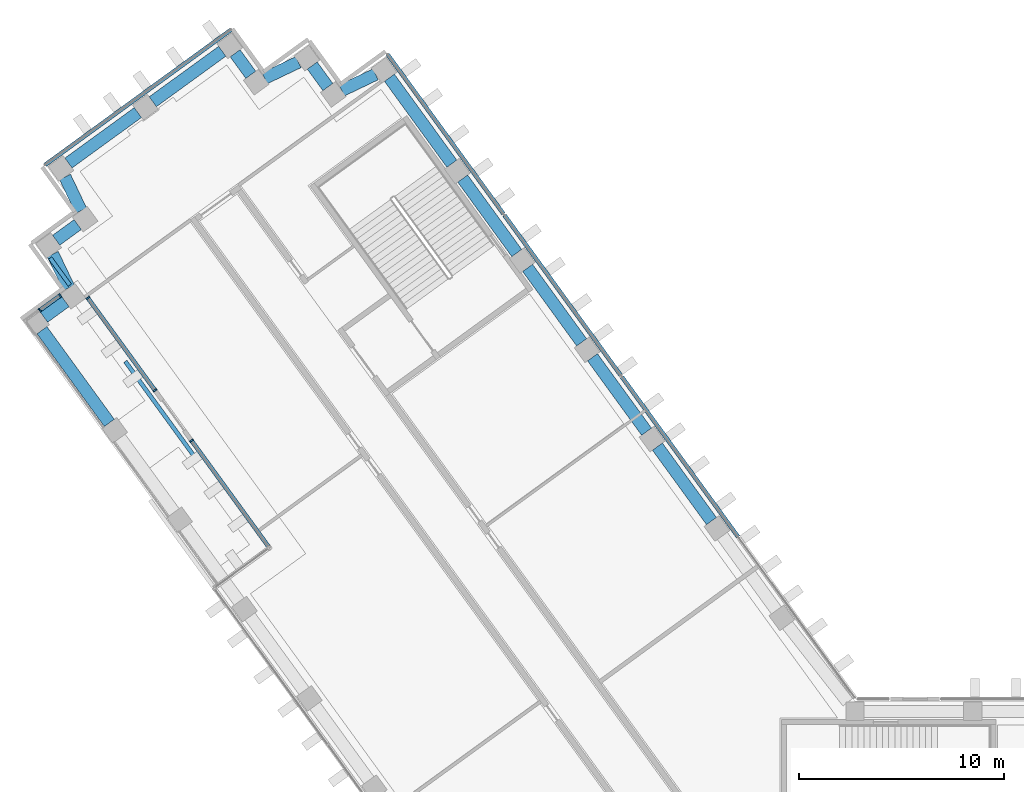
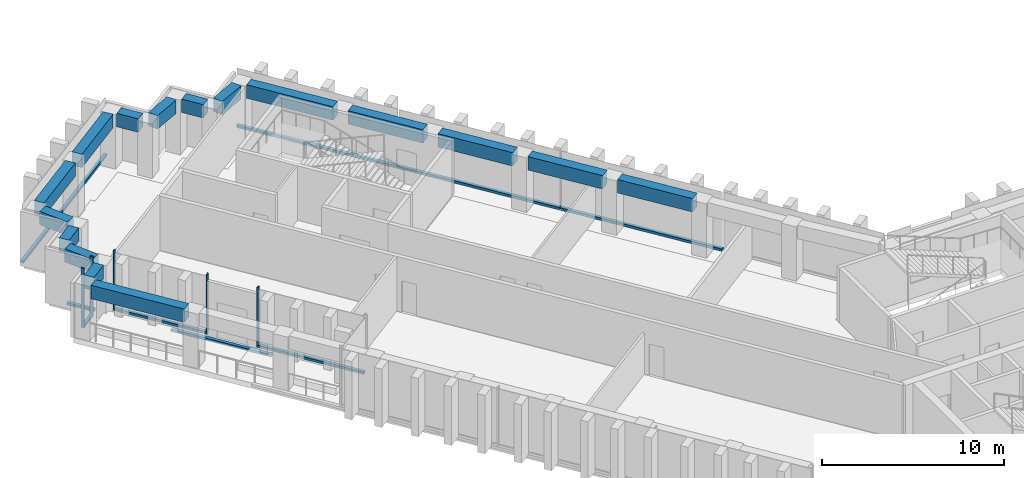
"""IFC4 building model written with IfcOpenShell, lengths in metres."""

from ifc_helpers import new_model, si_unit, direction, frame, origin, origin_2d, place, context, subcontext, project, spatial, rectangle, extrude, material, material_profile, profile_set, type_object, element, aggregate, save


model = new_model("IFC4")

# Units and contexts
model_context = context("Model", 3, precision=1e-05, world=origin(), true_north=direction((0.0, 1.0)))
body_context = subcontext(model_context, "Body", "Model", "MODEL_VIEW")
ifc_project = project(units=[si_unit("LENGTHUNIT", "METRE"), si_unit("AREAUNIT", "SQUARE_METRE"), si_unit("VOLUMEUNIT", "CUBIC_METRE"), si_unit("PLANEANGLEUNIT", "RADIAN"), si_unit("MASSUNIT", "GRAM", prefix="KILO")], contexts=[model_context])

# Site, building, storey
site_placement = place(None, origin())
site = spatial("IfcSite", under=ifc_project, at=site_placement, CompositionType="ELEMENT")
building_placement = place(site_placement, origin())
building = spatial("IfcBuilding", under=site, at=building_placement, Name="Quipu Civic Tower", CompositionType="ELEMENT")
storey_1_placement = place(building_placement, frame((0.0, 0.0, 39.0)))
storey_1 = spatial("IfcBuildingStorey", under=building, at=storey_1_placement, Name="L08", CompositionType="ELEMENT", Elevation=39.0)

# Curtain wall, members
ifc_material_1 = material(Name="Insulated glass unit", Category="glass")
curtain_wall_type = type_object("IfcCurtainWallType", Name="Office curtain wall CW1", PredefinedType="NOTDEFINED", material=ifc_material_1)
curtain_wall_1_placement = place(storey_1_placement, origin())
curtain_wall_1 = element("IfcCurtainWall", 1, at=curtain_wall_1_placement, inside=storey_1, type_object=curtain_wall_type, Name="Office curtain wall CW1 L08 run 1", PredefinedType="NOTDEFINED")
ifc_material_2 = material(Name="Anodised aluminium", Category="aluminium")
ifc_material_profile_1 = material_profile(ifc_material_2, rectangle(XDim=0.199951171875, YDim=0.080078125, at=origin_2d()), Name="RECT 200x80")
ifc_profile_set_1 = profile_set([ifc_material_profile_1], Name="Anodised aluminium")
member_type_1 = type_object("IfcMemberType", Name="Mullion CW1", PredefinedType="MULLION", material=ifc_profile_set_1)
member_1_placement = place(storey_1_placement, frame((-54.25439453125, 30.11767578125, 0.080078125), z_axis=(0.0, 0.0, 1.0), x_axis=(-0.587782847313, 0.809018741689, 0.0)))
member_1 = element("IfcMember", 2, at=member_1_placement, type_object=member_type_1, Name="CW1 mullion 1", PredefinedType="MULLION", context=body_context, shape_type="SweptSolid", body=[
    extrude(rectangle(XDim=0.199951171875, YDim=0.080078125, at=origin_2d()), origin(), (0.0, 0.0, 1.0), 4.0),
])
member_2_placement = place(storey_1_placement, frame((-53.267578125, 30.834716796875, 0.080078125), z_axis=(0.0, 0.0, 1.0), x_axis=(-0.587782847313, 0.809018741689, 0.0)))
member_2 = element("IfcMember", 3, at=member_2_placement, type_object=member_type_1, Name="CW1 mullion 2", PredefinedType="MULLION", context=body_context, shape_type="SweptSolid", body=[
    extrude(rectangle(XDim=0.199951171875, YDim=0.080078125, at=origin_2d()), origin(), (0.0, 0.0, 1.0), 4.0),
])

curtain_wall_2_placement = place(storey_1_placement, origin())
curtain_wall_2 = element("IfcCurtainWall", 4, at=curtain_wall_2_placement, inside=storey_1, type_object=curtain_wall_type, Name="Office curtain wall CW1 L08 run 2", PredefinedType="NOTDEFINED")
member_3_placement = place(storey_1_placement, frame((-51.9091796875, 30.721923828125, 0.080078125), z_axis=(0.0, 0.0, 1.0), x_axis=(0.809018223263, 0.587783560869, 0.0)))
member_3 = element("IfcMember", 5, at=member_3_placement, type_object=member_type_1, Name="CW1 mullion 1", PredefinedType="MULLION", context=body_context, shape_type="SweptSolid", body=[
    extrude(rectangle(XDim=0.199951171875, YDim=0.080078125, at=origin_2d()), origin(), (0.0, 0.0, 1.0), 4.0),
])
member_4_placement = place(storey_1_placement, frame((-48.6240234375, 26.2001953125, 0.080078125), z_axis=(0.0, 0.0, 1.0), x_axis=(0.809018223263, 0.587783560869, 0.0)))
member_4 = element("IfcMember", 6, at=member_4_placement, type_object=member_type_1, Name="CW1 mullion 2", PredefinedType="MULLION", context=body_context, shape_type="SweptSolid", body=[
    extrude(rectangle(XDim=0.199951171875, YDim=0.080078125, at=origin_2d()), origin(), (0.0, 0.0, 1.0), 4.0),
])

# Curtain wall, member
curtain_wall_3_placement = place(storey_1_placement, origin())
curtain_wall_3 = element("IfcCurtainWall", 7, at=curtain_wall_3_placement, inside=storey_1, type_object=curtain_wall_type, Name="Office curtain wall CW1 L08 run 4", PredefinedType="NOTDEFINED")
member_5_placement = place(storey_1_placement, frame((-46.83544921875, 23.738525390625, 0.080078125), z_axis=(0.0, 0.0, 1.0), x_axis=(0.809020595861, 0.58778029524, 0.0)))
member_5 = element("IfcMember", 8, at=member_5_placement, type_object=member_type_1, Name="CW1 mullion 1", PredefinedType="MULLION", context=body_context, shape_type="SweptSolid", body=[
    extrude(rectangle(XDim=0.199951171875, YDim=0.080078125, at=origin_2d()), origin(), (0.0, 0.0, 1.0), 4.0),
])

# Beams
ifc_material_3 = material(Name="Concrete C50/60", Category="concrete")
ifc_material_profile_2 = material_profile(ifc_material_3, rectangle(XDim=0.60009765625, YDim=0.89990234375, at=origin_2d()), Name="RC600x900")
ifc_profile_set_2 = profile_set([ifc_material_profile_2], Name="Concrete C50/60")
beam_type = type_object("IfcBeamType", Name="Spandrel beam RC 600x900 C50/60", PredefinedType="SPANDREL", material=ifc_profile_set_2)
for number, where, z_axis, x_axis, name in (
    (9, (-21.411865234375, 19.807861328125, 3.199951171875), (-0.587778073121, 0.809022210299, 0.0), (-0.809022210299, -0.587778073121, 0.0), "Spandrel beam L08 W-IN-02 to W-IN-03"),
    (10, (-24.585693359375, 24.1767578125, 3.199951171875), (-0.587778073121, 0.809022210299, 0.0), (-0.809022210299, -0.587778073121, 0.0), "Spandrel beam L08 W-IN-03 to W-IN-04"),
    (11, (-27.759765625, 28.545654296875, 3.199951171875), (-0.587742561851, 0.809048009076, 0.0), (-0.809048009076, -0.587742561851, 0.0), "Spandrel beam L08 W-IN-04 to W-IN-05"),
    (12, (-30.93359375, 32.914306640625, 3.199951171875), (-0.587716763865, 0.809066749701, 0.0), (-0.809066749701, -0.587716763865, 0.0), "Spandrel beam L08 W-IN-05 to W-IN-06"),
):
    element("IfcBeam", number, at=place(storey_1_placement, frame(where, z_axis=z_axis, x_axis=x_axis)), inside=storey_1, type_object=beam_type, Name=name, PredefinedType="SPANDREL", context=body_context, shape_type="SweptSolid", body=[
        extrude(rectangle(XDim=0.60009765625, YDim=0.89990234375, at=origin_2d()), origin(), (0.0, 0.0, 1.0), 4.5),
    ])
beam_1_placement = place(storey_1_placement, frame((-34.107421875, 37.283203125, 3.199951171875), z_axis=(-0.587732861365, 0.80905505602, 0.0), x_axis=(-0.80905505602, -0.587732861365, 0.0)))
element("IfcBeam", 13, at=beam_1_placement, inside=storey_1, type_object=beam_type, Name="Spandrel beam L08 W-IN-06 to T-Wi.0-W50", PredefinedType="SPANDREL", context=body_context, shape_type="SweptSolid", body=[
    extrude(rectangle(XDim=0.60009765625, YDim=0.89990234375, at=origin_2d()), origin(), (0.0, 0.0, 1.0), 5.194580078125),
])
beam_2_placement = place(storey_1_placement, frame((-37.837890625, 41.65283203125, 3.199951171875), z_axis=(-0.90245397739, -0.430786279601, 0.0), x_axis=(0.430786279601, -0.90245397739, 0.0)))
element("IfcBeam", 14, at=beam_2_placement, inside=storey_1, type_object=beam_type, Name="Spandrel beam L08 T-Wi.0-W50 to T-Wi.1-W50", PredefinedType="SPANDREL", context=body_context, shape_type="SweptSolid", body=[
    extrude(rectangle(XDim=0.60009765625, YDim=0.89990234375, at=origin_2d()), origin(), (0.0, 0.0, 1.0), 1.83349609375),
])
beam_3_placement = place(storey_1_placement, frame((-40.170166015625, 41.02978515625, 3.199951171875), z_axis=(-0.588461937499, 0.808524921146, 0.0), x_axis=(-0.808524921146, -0.588461937499, 0.0)))
element("IfcBeam", 15, at=beam_3_placement, inside=storey_1, type_object=beam_type, Name="Spandrel beam L08 T-Wi.1-W50 to T-Wi.2-W50", PredefinedType="SPANDREL", context=body_context, shape_type="SweptSolid", body=[
    extrude(rectangle(XDim=0.60009765625, YDim=0.89990234375, at=origin_2d()), origin(), (0.0, 0.0, 1.0), 1.30029296875),
])
beam_4_placement = place(storey_1_placement, frame((-41.613037109375, 42.248046875, 3.199951171875), z_axis=(-0.902613270121, -0.430452418511, 0.0), x_axis=(0.430452418511, -0.902613270121, 0.0)))
element("IfcBeam", 16, at=beam_4_placement, inside=storey_1, type_object=beam_type, Name="Spandrel beam L08 T-Wi.2-W50 to T-Wi.3-W50", PredefinedType="SPANDREL", context=body_context, shape_type="SweptSolid", body=[
    extrude(rectangle(XDim=0.60009765625, YDim=0.89990234375, at=origin_2d()), origin(), (0.0, 0.0, 1.0), 1.826416015625),
])
beam_5_placement = place(storey_1_placement, frame((-43.939453125, 41.628662109375, 3.199951171875), z_axis=(-0.588383572423, 0.808581951136, 0.0), x_axis=(-0.808581951136, -0.588383572423, 0.0)))
element("IfcBeam", 17, at=beam_5_placement, inside=storey_1, type_object=beam_type, Name="Spandrel beam L08 T-Wi.3-W50 to T-Wi.4-W50", PredefinedType="SPANDREL", context=body_context, shape_type="SweptSolid", body=[
    extrude(rectangle(XDim=0.60009765625, YDim=0.89990234375, at=origin_2d()), origin(), (0.0, 0.0, 1.0), 1.3017578125),
])
beam_6_placement = place(storey_1_placement, frame((-45.333984375, 42.780517578125, 3.199951171875), z_axis=(-0.808969789945, -0.58785021813, 0.0), x_axis=(0.58785021813, -0.808969789945, 0.0)))
element("IfcBeam", 18, at=beam_6_placement, inside=storey_1, type_object=beam_type, Name="Spandrel beam L08 T-Wi.4-W50 to TIP-W-01-W50", PredefinedType="SPANDREL", context=body_context, shape_type="SweptSolid", body=[
    extrude(rectangle(XDim=0.60009765625, YDim=0.89990234375, at=origin_2d()), origin(), (0.0, 0.0, 1.0), 4.199951171875),
])
beam_7_placement = place(storey_1_placement, frame((-49.459716796875, 39.782470703125, 3.199951171875), z_axis=(-0.808959834407, -0.587863918196, 0.0), x_axis=(0.587863918196, -0.808959834407, 0.0)))
element("IfcBeam", 19, at=beam_7_placement, inside=storey_1, type_object=beam_type, Name="Spandrel beam L08 TIP-W-01-W50 to T-Wo.0-W50", PredefinedType="SPANDREL", context=body_context, shape_type="SweptSolid", body=[
    extrude(rectangle(XDim=0.60009765625, YDim=0.89990234375, at=origin_2d()), origin(), (0.0, 0.0, 1.0), 4.1982421875),
])
beam_8_placement = place(storey_1_placement, frame((-53.023193359375, 36.63671875, 3.199951171875), z_axis=(0.430166558323, -0.902749540072, 0.0), x_axis=(0.902749540072, 0.430166558323, 0.0)))
element("IfcBeam", 20, at=beam_8_placement, inside=storey_1, type_object=beam_type, Name="Spandrel beam L08 T-Wo.0-W50 to T-Wo.1-W50", PredefinedType="SPANDREL", context=body_context, shape_type="SweptSolid", body=[
    extrude(rectangle(XDim=0.60009765625, YDim=0.89990234375, at=origin_2d()), origin(), (0.0, 0.0, 1.0), 1.830322265625),
])
beam_9_placement = place(storey_1_placement, frame((-52.40283203125, 34.306396484375, 3.199951171875), z_axis=(-0.808509099783, -0.588483674853, 0.0), x_axis=(0.588483674853, -0.808509099783, 0.0)))
element("IfcBeam", 21, at=beam_9_placement, inside=storey_1, type_object=beam_type, Name="Spandrel beam L08 T-Wo.1-W50 to T-Wo.2-W50", PredefinedType="SPANDREL", context=body_context, shape_type="SweptSolid", body=[
    extrude(rectangle(XDim=0.60009765625, YDim=0.89990234375, at=origin_2d()), origin(), (0.0, 0.0, 1.0), 1.302734375),
])
beam_10_placement = place(storey_1_placement, frame((-53.62255859375, 32.8623046875, 3.199951171875), z_axis=(0.431446050156, -0.902138739776, 0.0), x_axis=(0.902138739776, 0.431446050156, 0.0)))
element("IfcBeam", 22, at=beam_10_placement, inside=storey_1, type_object=beam_type, Name="Spandrel beam L08 T-Wo.2-W50 to T-Wo.3-W50", PredefinedType="SPANDREL", context=body_context, shape_type="SweptSolid", body=[
    extrude(rectangle(XDim=0.60009765625, YDim=0.89990234375, at=origin_2d()), origin(), (0.0, 0.0, 1.0), 1.828857421875),
])
beam_11_placement = place(storey_1_placement, frame((-53.0, 30.53466796875, 3.199951171875), z_axis=(-0.808549242423, -0.588428519514, 0.0), x_axis=(0.588428519514, -0.808549242423, 0.0)))
element("IfcBeam", 23, at=beam_11_placement, inside=storey_1, type_object=beam_type, Name="Spandrel beam L08 T-Wo.3-W50 to T-Wo.4-W50", PredefinedType="SPANDREL", context=body_context, shape_type="SweptSolid", body=[
    extrude(rectangle(XDim=0.60009765625, YDim=0.89990234375, at=origin_2d()), origin(), (0.0, 0.0, 1.0), 1.2998046875),
])
beam_12_placement = place(storey_1_placement, frame((-54.150390625, 29.140869140625, 3.199951171875), z_axis=(0.587772657145, -0.809026145135, 0.0), x_axis=(0.809026145135, 0.587772657145, 0.0)))
element("IfcBeam", 24, at=beam_12_placement, inside=storey_1, type_object=beam_type, Name="Spandrel beam L08 T-Wo.4-W50 to W-OUT-07", PredefinedType="SPANDREL", context=body_context, shape_type="SweptSolid", body=[
    extrude(rectangle(XDim=0.60009765625, YDim=0.89990234375, at=origin_2d()), origin(), (0.0, 0.0, 1.0), 5.603271484375),
])

# Storey
storey_2_placement = place(building_placement, frame((0.0, 0.0, 35.0)))
storey_2 = spatial("IfcBuildingStorey", under=building, at=storey_2_placement, Name="L07", CompositionType="ELEMENT", Elevation=35.0)

# Curtain wall, member
curtain_wall_4_placement = place(storey_2_placement, origin())
curtain_wall_4 = element("IfcCurtainWall", 25, at=curtain_wall_4_placement, inside=storey_2, type_object=curtain_wall_type, Name="Office curtain wall CW1 L07 run 2", PredefinedType="NOTDEFINED")
ifc_material_4 = material(Name="Anodised aluminium", Category="aluminium")
ifc_material_profile_3 = material_profile(ifc_material_4, rectangle(XDim=0.199951171875, YDim=0.159912109375, at=origin_2d()), Name="RECT 200x160")
ifc_profile_set_3 = profile_set([ifc_material_profile_3], Name="Anodised aluminium")
member_type_2 = type_object("IfcMemberType", Name="Transom CW1", PredefinedType="USERDEFINED", material=ifc_profile_set_3)
member_6_placement = place(storey_1_placement, frame((-53.749267578125, 32.67138671875, 0.0), z_axis=(0.587772972264, -0.809025916196, 0.0), x_axis=(0.809025916196, 0.587772972264, 0.0)))
member_6 = element("IfcMember", 26, at=member_6_placement, inside=storey_1, type_object=member_type_2, Name="CW1 transom 1.2", ObjectType="TRANSOM", PredefinedType="USERDEFINED", context=body_context, shape_type="SweptSolid", body=[
    extrude(rectangle(XDim=0.199951171875, YDim=0.159912109375, at=origin_2d()), origin(), (0.0, 0.0, 1.0), 1.638671875),
])
aggregate(curtain_wall_4, [member_6])

curtain_wall_5_placement = place(storey_2_placement, origin())
curtain_wall_5 = element("IfcCurtainWall", 27, at=curtain_wall_5_placement, inside=storey_2, type_object=curtain_wall_type, Name="Office curtain wall CW1 L07 run 5", PredefinedType="NOTDEFINED")
member_7_placement = place(storey_1_placement, frame((-50.076171875, 27.61572265625, 0.0), z_axis=(0.587765444521, -0.809031385193, 0.0), x_axis=(0.809031385193, 0.587765444521, 0.0)))
member_7 = element("IfcMember", 28, at=member_7_placement, inside=storey_1, type_object=member_type_2, Name="CW1 transom 1.2", ObjectType="TRANSOM", PredefinedType="USERDEFINED", context=body_context, shape_type="SweptSolid", body=[
    extrude(rectangle(XDim=0.199951171875, YDim=0.159912109375, at=origin_2d()), origin(), (0.0, 0.0, 1.0), 6.039794921875),
])
aggregate(curtain_wall_5, [member_7])

# Curtain wall, members
curtain_wall_6_placement = place(storey_2_placement, origin())
curtain_wall_6 = element("IfcCurtainWall", 29, at=curtain_wall_6_placement, inside=storey_2, type_object=curtain_wall_type, Name="Office curtain wall CW1 L06 run 32", PredefinedType="NOTDEFINED")
member_8_placement = place(storey_1_placement, frame((-20.105224609375, 19.029296875, 0.080078125), z_axis=(-0.587793764301, 0.80901080997, 0.0), x_axis=(-0.80901080997, -0.587793764301, 0.0)))
member_8 = element("IfcMember", 30, at=member_8_placement, inside=storey_1, type_object=member_type_2, Name="CW1 transom 2.3", ObjectType="TRANSOM", PredefinedType="USERDEFINED", context=body_context, shape_type="SweptSolid", body=[
    extrude(rectangle(XDim=0.199951171875, YDim=0.159912109375, at=origin_2d()), origin(), (0.0, 0.0, 1.0), 9.680908203125),
])
member_9_placement = place(storey_1_placement, frame((-25.842529296875, 26.926025390625, 0.080078125), z_axis=(-0.58778177227, 0.809019522748, 0.0), x_axis=(-0.809019522748, -0.58778177227, 0.0)))
member_9 = element("IfcMember", 31, at=member_9_placement, inside=storey_1, type_object=member_type_2, Name="CW1 transom 3.3", ObjectType="TRANSOM", PredefinedType="USERDEFINED", context=body_context, shape_type="SweptSolid", body=[
    extrude(rectangle(XDim=0.199951171875, YDim=0.159912109375, at=origin_2d()), origin(), (0.0, 0.0, 1.0), 9.68115234375),
])
member_10_placement = place(storey_1_placement, frame((-31.580078125, 34.822998046875, 0.080078125), z_axis=(-0.587775627857, 0.809023986849, 0.0), x_axis=(-0.809023986849, -0.587775627857, 0.0)))
member_10 = element("IfcMember", 32, at=member_10_placement, inside=storey_1, type_object=member_type_2, Name="CW1 transom 4.3", ObjectType="TRANSOM", PredefinedType="USERDEFINED", context=body_context, shape_type="SweptSolid", body=[
    extrude(rectangle(XDim=0.199951171875, YDim=0.159912109375, at=origin_2d()), origin(), (0.0, 0.0, 1.0), 9.64111328125),
])
aggregate(curtain_wall_6, [member_8, member_9, member_10])

# Curtain wall, member
curtain_wall_7_placement = place(storey_2_placement, origin())
curtain_wall_7 = element("IfcCurtainWall", 33, at=curtain_wall_7_placement, inside=storey_2, type_object=curtain_wall_type, Name="Office curtain wall CW1 L06 run 37", PredefinedType="NOTDEFINED")
member_11_placement = place(storey_1_placement, frame((-44.9013671875, 43.8349609375, 0.080078125), z_axis=(-0.809032792449, -0.587763507495, 0.0), x_axis=(0.587763507495, -0.809032792449, 0.0)))
member_11 = element("IfcMember", 34, at=member_11_placement, inside=storey_1, type_object=member_type_2, Name="CW1 transom 1.3", ObjectType="TRANSOM", PredefinedType="USERDEFINED", context=body_context, shape_type="SweptSolid", body=[
    extrude(rectangle(XDim=0.199951171875, YDim=0.159912109375, at=origin_2d()), origin(), (0.0, 0.0, 1.0), 11.239990234375),
])
aggregate(curtain_wall_7, [member_11])

# Member
member_12_placement = place(storey_1_placement, frame((-54.22216796875, 30.14111328125, 0.159912109375), z_axis=(0.80900453771, 0.587802397039, 0.0), x_axis=(-0.587802397039, 0.80900453771, 0.0)))
member_12 = element("IfcMember", 35, at=member_12_placement, type_object=member_type_2, Name="CW1 transom 1.1", ObjectType="TRANSOM", PredefinedType="USERDEFINED", context=body_context, shape_type="SweptSolid", body=[
    extrude(rectangle(XDim=0.199951171875, YDim=0.159912109375, at=origin_2d()), origin(), (0.0, 0.0, 1.0), 1.14013671875),
])

aggregate(curtain_wall_1, [member_1, member_2, member_12])

member_13_placement = place(storey_1_placement, frame((-51.8857421875, 30.689697265625, 0.159912109375), z_axis=(0.58779220199, -0.809011945079, 0.0), x_axis=(0.809011945079, 0.58779220199, 0.0)))
member_13 = element("IfcMember", 36, at=member_13_placement, type_object=member_type_2, Name="CW1 transom 1.1", ObjectType="TRANSOM", PredefinedType="USERDEFINED", context=body_context, shape_type="SweptSolid", body=[
    extrude(rectangle(XDim=0.199951171875, YDim=0.159912109375, at=origin_2d()), origin(), (0.0, 0.0, 1.0), 5.50927734375),
])

aggregate(curtain_wall_2, [member_3, member_4, member_13])

member_14_placement = place(storey_1_placement, frame((-46.811767578125, 23.7060546875, 0.159912109375), z_axis=(0.587753810544, -0.809039837209, 0.0), x_axis=(0.809039837209, 0.587753810544, 0.0)))
member_14 = element("IfcMember", 37, at=member_14_placement, type_object=member_type_2, Name="CW1 transom 1.1", ObjectType="TRANSOM", PredefinedType="USERDEFINED", context=body_context, shape_type="SweptSolid", body=[
    extrude(rectangle(XDim=0.199951171875, YDim=0.159912109375, at=origin_2d()), origin(), (0.0, 0.0, 1.0), 6.358154296875),
])

aggregate(curtain_wall_3, [member_5, member_14])

save(model, "model.ifc")
